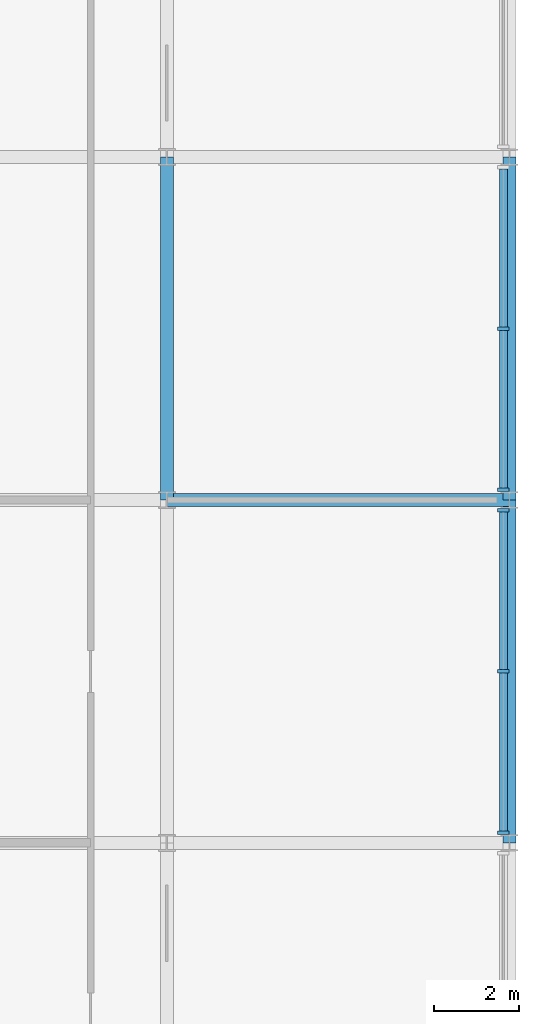
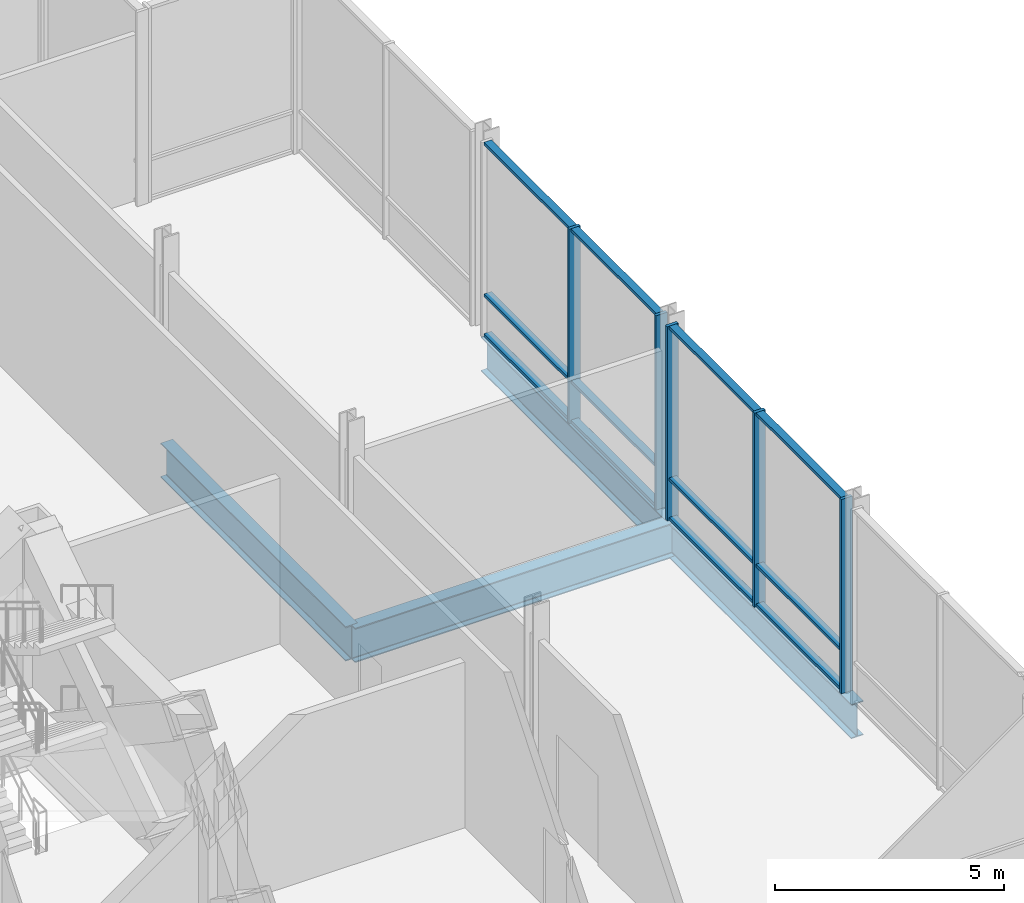
# One storey, part 8 of 21: 17 members, 4 beams, 2 elements without a shape of their own.
"""IFC4 building model written with IfcOpenShell, lengths in metres."""

from ifc_helpers import new_model, si_unit, direction, frame, origin, origin_2d, place, context, subcontext, project, spatial, rectangle, i_section, extrude, material, material_profile, profile_set, type_object, element, aggregate, save


model = new_model("IFC4")

# Units and contexts
model_context = context("Model", 3, precision=1e-05, world=origin(), true_north=direction((0.0, 1.0)))
body_context = subcontext(model_context, "Body", "Model", "MODEL_VIEW")
ifc_project = project(units=[si_unit("LENGTHUNIT", "METRE"), si_unit("AREAUNIT", "SQUARE_METRE"), si_unit("VOLUMEUNIT", "CUBIC_METRE"), si_unit("PLANEANGLEUNIT", "RADIAN"), si_unit("MASSUNIT", "GRAM", prefix="KILO")], contexts=[model_context])

# Site, building, storey
site_placement = place(None, origin())
site = spatial("IfcSite", under=ifc_project, at=site_placement, CompositionType="ELEMENT")
building_placement = place(site_placement, origin())
building = spatial("IfcBuilding", under=site, at=building_placement, Name="Kopane Lantern Tower", CompositionType="ELEMENT")
storey_placement = place(building_placement, frame((0.0, 0.0, 298.5)))
storey = spatial("IfcBuildingStorey", under=building, at=storey_placement, Name="L76", CompositionType="ELEMENT", Elevation=298.5)

# Beams
ifc_material_1 = material(Name="Steel S355JR", Category="steel")
ifc_material_profile_1 = material_profile(ifc_material_1, i_section(OverallWidth=0.305419921875, OverallDepth=0.91845703125, WebThickness=0.017333984375, FlangeThickness=0.02783203125, FilletRadius=0.01904296875, at=origin_2d()), Name="UB 914x305x253")
ifc_profile_set_1 = profile_set([ifc_material_profile_1], Name="Steel S355JR")
beam_type = type_object("IfcBeamType", Name="GIRDER UB 914x305x253", PredefinedType="BEAM", material=ifc_profile_set_1)
beam_1_placement = place(storey_placement, frame((48.60009765625, 40.5, -0.669189453125), z_axis=(0.0, 1.0, 0.0), x_axis=(-1.0, 0.0, 0.0)))
element("IfcBeam", 1, at=beam_1_placement, inside=storey, type_object=beam_type, Name="Girder L76", PredefinedType="BEAM", context=body_context, shape_type="SweptSolid", body=[
    extrude(i_section(OverallWidth=0.305419921875, OverallDepth=0.91845703125, WebThickness=0.017333984375, FlangeThickness=0.02783203125, FilletRadius=0.01904296875, at=origin_2d()), origin(), (0.0, 0.0, 1.0), 8.10009765625),
])
beam_2_placement = place(storey_placement, frame((48.60009765625, 40.5, -0.669189453125), z_axis=(1.0, 0.0, 0.0), x_axis=(0.0, 1.0, 0.0)))
element("IfcBeam", 2, at=beam_2_placement, inside=storey, type_object=beam_type, Name="Girder L76", PredefinedType="BEAM", context=body_context, shape_type="SweptSolid", body=[
    extrude(i_section(OverallWidth=0.305419921875, OverallDepth=0.91845703125, WebThickness=0.017333984375, FlangeThickness=0.02783203125, FilletRadius=0.01904296875, at=origin_2d()), origin(), (0.0, 0.0, 1.0), 8.099853515625),
])
for number, where, z_axis, x_axis, name in (
    (3, (56.699951171875, 32.39990234375, -0.669189453125), (0.0, 1.0, 0.0), (-1.0, 0.0, 0.0), "Girder L76"),
    (4, (56.699951171875, 40.5, -0.669189453125), (0.0, 1.0, 0.0), (-1.0, 0.0, 0.0), "Girder L76"),
):
    element("IfcBeam", number, at=place(storey_placement, frame(where, z_axis=z_axis, x_axis=x_axis)), inside=storey, type_object=beam_type, Name=name, PredefinedType="BEAM", context=body_context, shape_type="SweptSolid", body=[
        extrude(i_section(OverallWidth=0.305419921875, OverallDepth=0.91845703125, WebThickness=0.017333984375, FlangeThickness=0.02783203125, FilletRadius=0.01904296875, at=origin_2d()), origin(), (0.0, 0.0, 1.0), 8.10009765625),
    ])

# Curtain wall, members
ifc_material_2 = material(Name="Aluminium and clear glass", Category="aluminium")
curtain_wall_type = type_object("IfcCurtainWallType", Name="CURTAIN WALL CW6 LANTERN CROWN", PredefinedType="USERDEFINED", material=ifc_material_2)
curtain_wall_1_placement = place(storey_placement, origin())
curtain_wall_1 = element("IfcCurtainWall", 5, at=curtain_wall_1_placement, inside=storey, type_object=curtain_wall_type, Name="Curtain wall CW6 E L76", ObjectType="CURTAIN WALL", PredefinedType="USERDEFINED")
ifc_material_3 = material(Name="Aluminium", Category="aluminium")
ifc_material_profile_2 = material_profile(ifc_material_3, rectangle(XDim=0.080078125, YDim=0.280029296875, at=origin_2d()), Name="AL 80x280")
ifc_profile_set_2 = profile_set([ifc_material_profile_2], Name="Aluminium")
member_type_1 = type_object("IfcMemberType", Name="MULLION CW6-M 80x280", PredefinedType="MULLION", material=ifc_profile_set_2)
member_1_placement = place(storey_placement, frame((56.550048828125, 32.641845703125, 0.0), z_axis=(0.0, 0.0, 1.0), x_axis=(0.0, 1.0, 0.0)))
member_1 = element("IfcMember", 6, at=member_1_placement, type_object=member_type_1, Name="CW6 mullion 1", PredefinedType="MULLION", context=body_context, shape_type="SweptSolid", body=[
    extrude(rectangle(XDim=0.080078125, YDim=0.280029296875, at=origin_2d()), origin(), (0.0, 0.0, 1.0), 5.18994140625),
])
member_2_placement = place(storey_placement, frame((56.550048828125, 36.449951171875, 0.0), z_axis=(0.0, 0.0, 1.0), x_axis=(0.0, 1.0, 0.0)))
member_2 = element("IfcMember", 7, at=member_2_placement, type_object=member_type_1, Name="CW6 mullion 2", PredefinedType="MULLION", context=body_context, shape_type="SweptSolid", body=[
    extrude(rectangle(XDim=0.080078125, YDim=0.280029296875, at=origin_2d()), origin(), (0.0, 0.0, 1.0), 5.18994140625),
])
member_3_placement = place(storey_placement, frame((56.550048828125, 40.25830078125, 0.0), z_axis=(0.0, 0.0, 1.0), x_axis=(0.0, 1.0, 0.0)))
member_3 = element("IfcMember", 8, at=member_3_placement, type_object=member_type_1, Name="CW6 mullion 3", PredefinedType="MULLION", context=body_context, shape_type="SweptSolid", body=[
    extrude(rectangle(XDim=0.080078125, YDim=0.280029296875, at=origin_2d()), origin(), (0.0, 0.0, 1.0), 5.18994140625),
])

curtain_wall_2_placement = place(storey_placement, origin())
curtain_wall_2 = element("IfcCurtainWall", 9, at=curtain_wall_2_placement, inside=storey, type_object=curtain_wall_type, Name="Curtain wall CW6 E L76", ObjectType="CURTAIN WALL", PredefinedType="USERDEFINED")
member_4_placement = place(storey_placement, frame((56.550048828125, 40.74169921875, 0.0), z_axis=(0.0, 0.0, 1.0), x_axis=(0.0, 1.0, 0.0)))
member_4 = element("IfcMember", 10, at=member_4_placement, type_object=member_type_1, Name="CW6 mullion 1", PredefinedType="MULLION", context=body_context, shape_type="SweptSolid", body=[
    extrude(rectangle(XDim=0.080078125, YDim=0.280029296875, at=origin_2d()), origin(), (0.0, 0.0, 1.0), 5.18994140625),
])
member_5_placement = place(storey_placement, frame((56.550048828125, 44.550048828125, 0.0), z_axis=(0.0, 0.0, 1.0), x_axis=(0.0, 1.0, 0.0)))
member_5 = element("IfcMember", 11, at=member_5_placement, type_object=member_type_1, Name="CW6 mullion 2", PredefinedType="MULLION", context=body_context, shape_type="SweptSolid", body=[
    extrude(rectangle(XDim=0.080078125, YDim=0.280029296875, at=origin_2d()), origin(), (0.0, 0.0, 1.0), 5.18994140625),
])

# Member
ifc_material_4 = material(Name="Aluminium", Category="aluminium")
ifc_material_profile_3 = material_profile(ifc_material_4, rectangle(XDim=0.18994140625, YDim=0.080078125, at=origin_2d()), Name="AL 190x80")
ifc_profile_set_3 = profile_set([ifc_material_profile_3], Name="Aluminium")
member_type_2 = type_object("IfcMemberType", Name="TRANSOM CW6-T 80x190", PredefinedType="USERDEFINED", material=ifc_profile_set_3)
member_6_placement = place(storey_placement, frame((56.550048828125, 32.681884765625, 0.0400390625), z_axis=(0.0, 1.0, 0.0), x_axis=(-1.0, 0.0, 0.0)))
member_6 = element("IfcMember", 12, at=member_6_placement, type_object=member_type_2, Name="CW6 transom 1.1", ObjectType="TRANSOM", PredefinedType="USERDEFINED", context=body_context, shape_type="SweptSolid", body=[
    extrude(rectangle(XDim=0.18994140625, YDim=0.080078125, at=origin_2d()), origin(), (0.0, 0.0, 1.0), 3.72802734375),
])

member_7_placement = place(storey_placement, frame((56.550048828125, 32.681884765625, 1.10009765625), z_axis=(0.0, 1.0, 0.0), x_axis=(-1.0, 0.0, 0.0)))
member_7 = element("IfcMember", 13, at=member_7_placement, type_object=member_type_2, Name="CW6 transom 1.2", ObjectType="TRANSOM", PredefinedType="USERDEFINED", context=body_context, shape_type="SweptSolid", body=[
    extrude(rectangle(XDim=0.18994140625, YDim=0.080078125, at=origin_2d()), origin(), (0.0, 0.0, 1.0), 3.72802734375),
])

member_8_placement = place(storey_placement, frame((56.550048828125, 32.681884765625, 5.14990234375), z_axis=(0.0, 1.0, 0.0), x_axis=(-1.0, 0.0, 0.0)))
member_8 = element("IfcMember", 14, at=member_8_placement, type_object=member_type_2, Name="CW6 transom 1.3", ObjectType="TRANSOM", PredefinedType="USERDEFINED", context=body_context, shape_type="SweptSolid", body=[
    extrude(rectangle(XDim=0.18994140625, YDim=0.080078125, at=origin_2d()), origin(), (0.0, 0.0, 1.0), 3.72802734375),
])

member_9_placement = place(storey_placement, frame((56.550048828125, 36.489990234375, 0.0400390625), z_axis=(0.0, 1.0, 0.0), x_axis=(-1.0, 0.0, 0.0)))
member_9 = element("IfcMember", 15, at=member_9_placement, type_object=member_type_2, Name="CW6 transom 2.1", ObjectType="TRANSOM", PredefinedType="USERDEFINED", context=body_context, shape_type="SweptSolid", body=[
    extrude(rectangle(XDim=0.18994140625, YDim=0.080078125, at=origin_2d()), origin(), (0.0, 0.0, 1.0), 3.728271484375),
])

member_10_placement = place(storey_placement, frame((56.550048828125, 36.489990234375, 1.10009765625), z_axis=(0.0, 1.0, 0.0), x_axis=(-1.0, 0.0, 0.0)))
member_10 = element("IfcMember", 16, at=member_10_placement, type_object=member_type_2, Name="CW6 transom 2.2", ObjectType="TRANSOM", PredefinedType="USERDEFINED", context=body_context, shape_type="SweptSolid", body=[
    extrude(rectangle(XDim=0.18994140625, YDim=0.080078125, at=origin_2d()), origin(), (0.0, 0.0, 1.0), 3.728271484375),
])

member_11_placement = place(storey_placement, frame((56.550048828125, 36.489990234375, 5.14990234375), z_axis=(0.0, 1.0, 0.0), x_axis=(-1.0, 0.0, 0.0)))
member_11 = element("IfcMember", 17, at=member_11_placement, type_object=member_type_2, Name="CW6 transom 2.3", ObjectType="TRANSOM", PredefinedType="USERDEFINED", context=body_context, shape_type="SweptSolid", body=[
    extrude(rectangle(XDim=0.18994140625, YDim=0.080078125, at=origin_2d()), origin(), (0.0, 0.0, 1.0), 3.728271484375),
])

aggregate(curtain_wall_1, [member_1, member_2, member_3, member_6, member_7, member_8, member_9, member_10, member_11])

member_12_placement = place(storey_placement, frame((56.550048828125, 40.78173828125, 0.0400390625), z_axis=(0.0, 1.0, 0.0), x_axis=(-1.0, 0.0, 0.0)))
member_12 = element("IfcMember", 18, at=member_12_placement, type_object=member_type_2, Name="CW6 transom 1.1", ObjectType="TRANSOM", PredefinedType="USERDEFINED", context=body_context, shape_type="SweptSolid", body=[
    extrude(rectangle(XDim=0.18994140625, YDim=0.080078125, at=origin_2d()), origin(), (0.0, 0.0, 1.0), 3.728271484375),
])

member_13_placement = place(storey_placement, frame((56.550048828125, 40.78173828125, 1.10009765625), z_axis=(0.0, 1.0, 0.0), x_axis=(-1.0, 0.0, 0.0)))
member_13 = element("IfcMember", 19, at=member_13_placement, type_object=member_type_2, Name="CW6 transom 1.2", ObjectType="TRANSOM", PredefinedType="USERDEFINED", context=body_context, shape_type="SweptSolid", body=[
    extrude(rectangle(XDim=0.18994140625, YDim=0.080078125, at=origin_2d()), origin(), (0.0, 0.0, 1.0), 3.728271484375),
])

member_14_placement = place(storey_placement, frame((56.550048828125, 40.78173828125, 5.14990234375), z_axis=(0.0, 1.0, 0.0), x_axis=(-1.0, 0.0, 0.0)))
member_14 = element("IfcMember", 20, at=member_14_placement, type_object=member_type_2, Name="CW6 transom 1.3", ObjectType="TRANSOM", PredefinedType="USERDEFINED", context=body_context, shape_type="SweptSolid", body=[
    extrude(rectangle(XDim=0.18994140625, YDim=0.080078125, at=origin_2d()), origin(), (0.0, 0.0, 1.0), 3.728271484375),
])

member_15_placement = place(storey_placement, frame((56.550048828125, 44.590087890625, 0.0400390625), z_axis=(0.0, 1.0, 0.0), x_axis=(-1.0, 0.0, 0.0)))
member_15 = element("IfcMember", 21, at=member_15_placement, type_object=member_type_2, Name="CW6 transom 2.1", ObjectType="TRANSOM", PredefinedType="USERDEFINED", context=body_context, shape_type="SweptSolid", body=[
    extrude(rectangle(XDim=0.18994140625, YDim=0.080078125, at=origin_2d()), origin(), (0.0, 0.0, 1.0), 3.72802734375),
])

member_16_placement = place(storey_placement, frame((56.550048828125, 44.590087890625, 1.10009765625), z_axis=(0.0, 1.0, 0.0), x_axis=(-1.0, 0.0, 0.0)))
member_16 = element("IfcMember", 22, at=member_16_placement, type_object=member_type_2, Name="CW6 transom 2.2", ObjectType="TRANSOM", PredefinedType="USERDEFINED", context=body_context, shape_type="SweptSolid", body=[
    extrude(rectangle(XDim=0.18994140625, YDim=0.080078125, at=origin_2d()), origin(), (0.0, 0.0, 1.0), 3.72802734375),
])

member_17_placement = place(storey_placement, frame((56.550048828125, 44.590087890625, 5.14990234375), z_axis=(0.0, 1.0, 0.0), x_axis=(-1.0, 0.0, 0.0)))
member_17 = element("IfcMember", 23, at=member_17_placement, type_object=member_type_2, Name="CW6 transom 2.3", ObjectType="TRANSOM", PredefinedType="USERDEFINED", context=body_context, shape_type="SweptSolid", body=[
    extrude(rectangle(XDim=0.18994140625, YDim=0.080078125, at=origin_2d()), origin(), (0.0, 0.0, 1.0), 3.72802734375),
])

aggregate(curtain_wall_2, [member_4, member_5, member_12, member_13, member_14, member_15, member_16, member_17])

save(model, "model.ifc")
